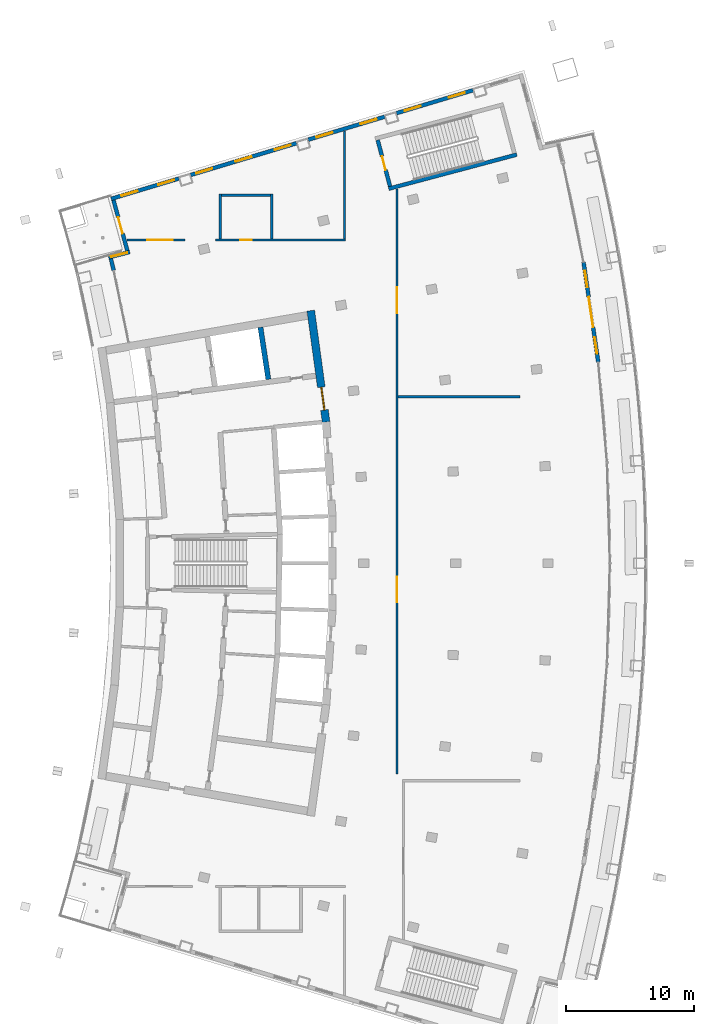
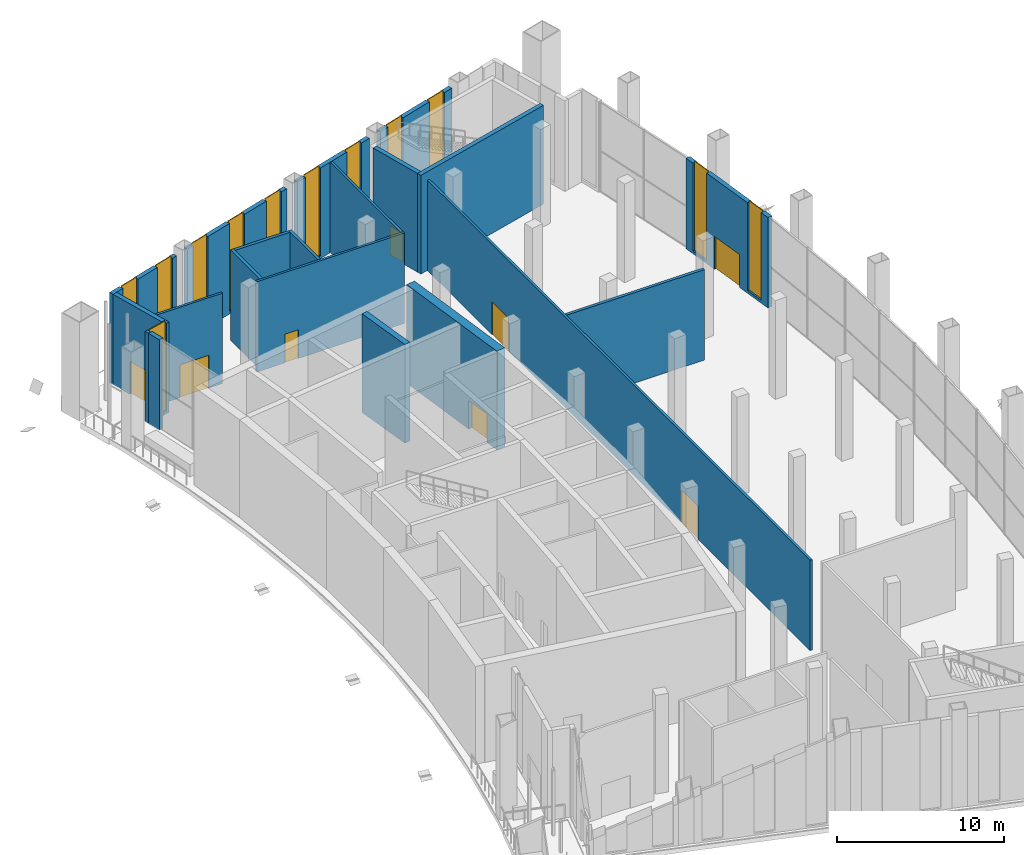
# One storey, part 16 of 24: 20 walls, 12 windows, 8 doors, 20 openings.
"""IFC4 building model written with IfcOpenShell, lengths in metres."""

from ifc_helpers import new_model, si_unit, direction, frame, frame_2d, origin, place, context, subcontext, project, spatial, rectangle, extrude, material, layer, layer_set, type_object, element, fill, save


model = new_model("IFC4")

# Units and contexts
model_context = context("Model", 3, precision=1e-05, world=origin(), true_north=direction((0.0, 1.0)))
body_context = subcontext(model_context, "Body", "Model", "MODEL_VIEW")
ifc_project = project(units=[si_unit("LENGTHUNIT", "METRE"), si_unit("AREAUNIT", "SQUARE_METRE"), si_unit("VOLUMEUNIT", "CUBIC_METRE"), si_unit("PLANEANGLEUNIT", "RADIAN"), si_unit("MASSUNIT", "GRAM", prefix="KILO")], contexts=[model_context])

# Site, building, storey
site_placement = place(None, origin())
site = spatial("IfcSite", under=ifc_project, at=site_placement, CompositionType="ELEMENT")
building_placement = place(site_placement, origin())
building = spatial("IfcBuilding", under=site, at=building_placement, Name="Alderwake Tower", CompositionType="ELEMENT")
storey_placement = place(building_placement, frame((0.0, 0.0, 232.39990234375)))
storey = spatial("IfcBuildingStorey", under=building, at=storey_placement, Name="L58", CompositionType="ELEMENT", Elevation=232.39990234375)

# Wall, opening, door
ifc_material_1 = material(Name="Concrete C70/85", Category="concrete")
ifc_layer_1 = layer(ifc_material_1, 0.60009765625)
ifc_layer_set_1 = layer_set([ifc_layer_1], Name="Core wall outer 600 C70-85")
wall_type_1 = type_object("IfcWallType", Name="Core wall outer 600 C70-85", PredefinedType="SHEAR", material=ifc_layer_set_1)
wall_1_placement = place(storey_placement, frame((31.66796875, 80.743896484375, 0.0), z_axis=(0.0, 0.0, 1.0), x_axis=(0.135856583698, -0.990728514108, 0.0)))
wall_1 = element("IfcWall", 1, at=wall_1_placement, inside=storey, type_object=wall_type_1, Name="Core wall CW.014", PredefinedType="SHEAR", context=body_context, shape_type="SweptSolid", body=[
    extrude(rectangle(XDim=8.79296875, YDim=0.60009765625, at=frame_2d((4.396484375, 0.0))), origin(), (0.0, 0.0, 1.0), 7.2001953125),
])
opening_1_placement = place(wall_1_placement, frame((6.038818359375, 0.0, 0.0)))
opening_1 = element("IfcOpeningElement", 2, at=opening_1_placement, cuts=wall_1, Name="Opening C001", PredefinedType="OPENING", context=body_context, shape_type="SweptSolid", body=[
    extrude(rectangle(XDim=1.800048828125, YDim=2.10009765625, at=frame_2d((0.89990234375, 1.050048828125))), frame((0.0, 0.31005859375, 0.0), z_axis=(0.0, -1.0, 0.0), x_axis=(1.0, 0.0, 0.0)), (0.0, 0.0, 1.0), 0.6201171875),
])
ifc_material_2 = material(Name="Steel-framed fire door leaves", Category="steel")
door_type_1 = type_object("IfcDoorType", Name="Core double door 1800 fire-rated", OperationType="DOUBLE_DOOR_SINGLE_SWING", PredefinedType="DOOR", material=ifc_material_2)
door_1_placement = place(opening_1_placement, origin())
door_1 = element("IfcDoor", 3, at=door_1_placement, inside=storey, type_object=door_type_1, Name="Lobby double door", OperationType="DOUBLE_DOOR_SINGLE_SWING", OverallHeight=2.10009765625, OverallWidth=1.800048828125, PredefinedType="DOOR", context=body_context, shape_type="SweptSolid", body=[
    extrude(rectangle(XDim=1.800048828125, YDim=2.10009765625, at=frame_2d((0.89990234375, 1.050048828125))), frame((0.0, 0.050048828125, 0.0), z_axis=(0.0, -1.0, 0.0), x_axis=(1.0, 0.0, 0.0)), (0.0, 0.0, 1.0), 0.10009765625),
])
fill(opening_1, door_1)

# Walls
ifc_material_3 = material(Name="Concrete C70/85", Category="concrete")
ifc_layer_2 = layer(ifc_material_3, 0.39990234375)
ifc_layer_set_2 = layer_set([ifc_layer_2], Name="Core wall spine 400 C70-85")
wall_type_2 = type_object("IfcWallType", Name="Core wall spine 400 C70-85", PredefinedType="SHEAR", material=ifc_layer_set_2)
wall_2_placement = place(storey_placement, frame((28.350830078125, 75.373291015625, 0.0), z_axis=(0.0, 0.0, 1.0), x_axis=(-0.150143035921, 0.988664285167, 0.0)))
element("IfcWall", 4, at=wall_2_placement, inside=storey, type_object=wall_type_2, Name="Core wall CW.001", PredefinedType="SHEAR", context=body_context, shape_type="SweptSolid", body=[
    extrude(rectangle(XDim=4.1123046875, YDim=0.39990234375, at=frame_2d((2.05615234375, 0.0))), origin(), (0.0, 0.0, 1.0), 7.2001953125),
])
ifc_material_4 = material(Name="Concrete C70/85", Category="concrete")
ifc_layer_3 = layer(ifc_material_4, 0.300048828125)
ifc_layer_set_3 = layer_set([ifc_layer_3], Name="Core wall stair enclosure 300 C70-85")
wall_type_3 = type_object("IfcWallType", Name="Core wall stair enclosure 300 C70-85", PredefinedType="SHEAR", material=ifc_layer_set_3)
wall_3_placement = place(storey_placement, frame((37.75390625, 90.268798828125, 0.0), z_axis=(0.0, 0.0, 1.0), x_axis=(0.966309214305, 0.257383958996, 0.0)))
element("IfcWall", 5, at=wall_3_placement, inside=storey, type_object=wall_type_3, Name="Core wall CW.084", PredefinedType="SHEAR", context=body_context, shape_type="SweptSolid", body=[
    extrude(rectangle(XDim=10.360107421875, YDim=0.300048828125, at=frame_2d((5.18017578125, 0.0))), origin(), (0.0, 0.0, 1.0), 7.2001953125),
])

# Wall, opening, door
wall_4_placement = place(storey_placement, frame((37.8603515625, 90.452392578125, 0.0), z_axis=(0.0, 0.0, 1.0), x_axis=(-0.257411420208, 0.966301899381, 0.0)))
wall_4 = element("IfcWall", 6, at=wall_4_placement, inside=storey, type_object=wall_type_3, Name="Core wall CW.083", PredefinedType="SHEAR", context=body_context, shape_type="SweptSolid", body=[
    extrude(rectangle(XDim=3.750244140625, YDim=0.300048828125, at=frame_2d((1.875, 0.0))), origin(), (0.0, 0.0, 1.0), 7.2001953125),
])
opening_2_placement = place(wall_4_placement, frame((1.324951171875, 0.0, 0.0)))
opening_2 = element("IfcOpeningElement", 7, at=opening_2_placement, cuts=wall_4, Name="Opening C062", PredefinedType="OPENING", context=body_context, shape_type="SweptSolid", body=[
    extrude(rectangle(XDim=1.10009765625, YDim=2.10009765625, at=frame_2d((0.550048828125, 1.050048828125))), frame((0.0, 0.159912109375, 0.0), z_axis=(0.0, -1.0, 0.0), x_axis=(1.0, 0.0, 0.0)), (0.0, 0.0, 1.0), 0.320068359375),
])
ifc_material_5 = material(Name="Steel-framed fire door leaf", Category="steel")
door_type_2 = type_object("IfcDoorType", Name="Core stair door 1100 fire-rated", OperationType="SINGLE_SWING_LEFT", PredefinedType="DOOR", material=ifc_material_5)
door_2_placement = place(opening_2_placement, origin())
door_2 = element("IfcDoor", 8, at=door_2_placement, inside=storey, type_object=door_type_2, Name="Stair door", OperationType="SINGLE_SWING_RIGHT", OverallHeight=2.10009765625, OverallWidth=1.10009765625, PredefinedType="DOOR", context=body_context, shape_type="SweptSolid", body=[
    extrude(rectangle(XDim=1.10009765625, YDim=2.10009765625, at=frame_2d((0.550048828125, 1.050048828125))), frame((0.0, 0.02490234375, 0.0), z_axis=(0.0, -1.0, 0.0), x_axis=(1.0, 0.0, 0.0)), (0.0, 0.0, 1.0), 0.050048828125),
])
fill(opening_2, door_2)

ifc_material_6 = material(Name="Gypsum board on metal studs, rated")
ifc_layer_4 = layer(ifc_material_6, 0.159912109375)
ifc_layer_set_4 = layer_set([ifc_layer_4], Name="Corridor wall 160")
wall_type_4 = type_object("IfcWallType", Name="Corridor wall 160", PredefinedType="PARTITIONING", material=ifc_layer_set_4)
wall_5_placement = place(storey_placement, frame((21.8369140625, 86.25, 0.0), z_axis=(0.0, 0.0, 1.0), x_axis=(-1.0, 0.0, 0.0)))
wall_5 = element("IfcWall", 9, at=wall_5_placement, inside=storey, type_object=wall_type_4, Name="WL/L58/W10", PredefinedType="PARTITIONING", context=body_context, shape_type="SweptSolid", body=[
    extrude(rectangle(XDim=4.54296875, YDim=0.159912109375, at=frame_2d((2.271484375, 0.0))), origin(), (0.0, 0.0, 1.0), 6.60009765625),
])
opening_3_placement = place(wall_5_placement, frame((0.94873046875, 0.0, 0.0)))
opening_3 = element("IfcOpeningElement", 10, at=opening_3_placement, cuts=wall_5, Name="Opening L58-04", PredefinedType="OPENING", context=body_context, shape_type="SweptSolid", body=[
    extrude(rectangle(XDim=2.0, YDim=2.39990234375, at=frame_2d((1.0, 1.199951171875))), frame((0.0, 0.08984375, 0.0), z_axis=(0.0, -1.0, 0.0), x_axis=(1.0, 0.0, 0.0)), (0.0, 0.0, 1.0), 0.179931640625),
])
ifc_material_7 = material(Name="Timber leaves with glazed panels", Category="wood")
door_type_3 = type_object("IfcDoorType", Name="Hall double door 2000", OperationType="DOUBLE_DOOR_SINGLE_SWING", PredefinedType="DOOR", material=ifc_material_7)
door_3_placement = place(opening_3_placement, origin())
door_3 = element("IfcDoor", 11, at=door_3_placement, inside=storey, type_object=door_type_3, Name="DR/L58/04", OperationType="DOUBLE_DOOR_SINGLE_SWING", OverallHeight=2.39990234375, OverallWidth=2.0, PredefinedType="DOOR", context=body_context, shape_type="SweptSolid", body=[
    extrude(rectangle(XDim=2.0, YDim=2.39990234375, at=frame_2d((1.0, 1.199951171875))), frame((0.0, 0.02490234375, 0.0), z_axis=(0.0, -1.0, 0.0), x_axis=(1.0, 0.0, 0.0)), (0.0, 0.0, 1.0), 0.050048828125),
])
fill(opening_3, door_3)

wall_6_placement = place(storey_placement, frame((34.37890625, 86.25, 0.0), z_axis=(0.0, 0.0, 1.0), x_axis=(-1.0, 0.0, 0.0)))
wall_6 = element("IfcWall", 12, at=wall_6_placement, inside=storey, type_object=wall_type_4, Name="WL/L58/W13", PredefinedType="PARTITIONING", context=body_context, shape_type="SweptSolid", body=[
    extrude(rectangle(XDim=10.171875, YDim=0.159912109375, at=frame_2d((5.0859375, 0.0))), origin(), (0.0, 0.0, 1.0), 6.60009765625),
])
opening_4_placement = place(wall_6_placement, frame((7.3291015625, 0.0, 0.0)))
opening_4 = element("IfcOpeningElement", 13, at=opening_4_placement, cuts=wall_6, Name="Opening L58-09", PredefinedType="OPENING", context=body_context, shape_type="SweptSolid", body=[
    extrude(rectangle(XDim=0.89990234375, YDim=2.10009765625, at=frame_2d((0.449951171875, 1.050048828125))), frame((0.0, 0.08984375, 0.0), z_axis=(0.0, -1.0, 0.0), x_axis=(1.0, 0.0, 0.0)), (0.0, 0.0, 1.0), 0.179931640625),
])
ifc_material_8 = material(Name="Painted timber leaf", Category="wood")
door_type_4 = type_object("IfcDoorType", Name="Room door 900", OperationType="SINGLE_SWING_LEFT", PredefinedType="DOOR", material=ifc_material_8)
door_4_placement = place(opening_4_placement, origin())
door_4 = element("IfcDoor", 14, at=door_4_placement, inside=storey, type_object=door_type_4, Name="DR/L58/09", OperationType="SINGLE_SWING_LEFT", OverallHeight=2.10009765625, OverallWidth=0.89990234375, PredefinedType="DOOR", context=body_context, shape_type="SweptSolid", body=[
    extrude(rectangle(XDim=0.89990234375, YDim=2.10009765625, at=frame_2d((0.449951171875, 1.050048828125))), frame((0.0, 0.02490234375, 0.0), z_axis=(0.0, -1.0, 0.0), x_axis=(1.0, 0.0, 0.0)), (0.0, 0.0, 1.0), 0.050048828125),
])
fill(opening_4, door_4)

# Wall
wall_7_placement = place(storey_placement, frame((34.299072265625, 94.77392578125, 0.0), z_axis=(0.0, 0.0, 1.0), x_axis=(0.0, -1.0, 0.0)))
element("IfcWall", 15, at=wall_7_placement, inside=storey, type_object=wall_type_4, Name="WL/L58/W14", PredefinedType="PARTITIONING", context=body_context, shape_type="SweptSolid", body=[
    extrude(rectangle(XDim=8.44384765625, YDim=0.159912109375, at=frame_2d((4.221923828125, 0.0))), origin(), (0.0, 0.0, 1.0), 6.60009765625),
])

# Wall, openings, doors
wall_8_placement = place(storey_placement, frame((38.39990234375, 44.52099609375, 0.0), z_axis=(0.0, 0.0, 1.0), x_axis=(0.0, 1.0, 0.0)))
wall_8 = element("IfcWall", 16, at=wall_8_placement, inside=storey, type_object=wall_type_4, Name="WL/L58/W15", PredefinedType="PARTITIONING", context=body_context, shape_type="SweptSolid", body=[
    extrude(rectangle(XDim=45.743896484375, YDim=0.159912109375, at=frame_2d((22.8720703125, 0.0))), origin(), (0.0, 0.0, 1.0), 6.60009765625),
])
opening_5_placement = place(wall_8_placement, frame((13.428955078125, 0.0, 0.0)))
opening_5 = element("IfcOpeningElement", 17, at=opening_5_placement, cuts=wall_8, Name="Opening L58-02", PredefinedType="OPENING", context=body_context, shape_type="SweptSolid", body=[
    extrude(rectangle(XDim=2.0, YDim=2.39990234375, at=frame_2d((1.0, 1.199951171875))), frame((0.0, 0.08984375, 0.0), z_axis=(0.0, -1.0, 0.0), x_axis=(1.0, 0.0, 0.0)), (0.0, 0.0, 1.0), 0.179931640625),
])
opening_6_placement = place(wall_8_placement, frame((36.029052734375, 0.0, 0.0)))
opening_6 = element("IfcOpeningElement", 18, at=opening_6_placement, cuts=wall_8, Name="Opening L58-03", PredefinedType="OPENING", context=body_context, shape_type="SweptSolid", body=[
    extrude(rectangle(XDim=2.0, YDim=2.39990234375, at=frame_2d((1.0, 1.199951171875))), frame((0.0, 0.08984375, 0.0), z_axis=(0.0, -1.0, 0.0), x_axis=(1.0, 0.0, 0.0)), (0.0, 0.0, 1.0), 0.179931640625),
])
door_5_placement = place(opening_5_placement, origin())
door_5 = element("IfcDoor", 19, at=door_5_placement, inside=storey, type_object=door_type_3, Name="DR/L58/02", OperationType="DOUBLE_DOOR_SINGLE_SWING", OverallHeight=2.39990234375, OverallWidth=2.0, PredefinedType="DOOR", context=body_context, shape_type="SweptSolid", body=[
    extrude(rectangle(XDim=2.0, YDim=2.39990234375, at=frame_2d((1.0, 1.199951171875))), frame((0.0, 0.02490234375, 0.0), z_axis=(0.0, -1.0, 0.0), x_axis=(1.0, 0.0, 0.0)), (0.0, 0.0, 1.0), 0.050048828125),
])
fill(opening_5, door_5)
door_6_placement = place(opening_6_placement, origin())
door_6 = element("IfcDoor", 20, at=door_6_placement, inside=storey, type_object=door_type_3, Name="DR/L58/03", OperationType="DOUBLE_DOOR_SINGLE_SWING", OverallHeight=2.39990234375, OverallWidth=2.0, PredefinedType="DOOR", context=body_context, shape_type="SweptSolid", body=[
    extrude(rectangle(XDim=2.0, YDim=2.39990234375, at=frame_2d((1.0, 1.199951171875))), frame((0.0, 0.02490234375, 0.0), z_axis=(0.0, -1.0, 0.0), x_axis=(1.0, 0.0, 0.0)), (0.0, 0.0, 1.0), 0.050048828125),
])
fill(opening_6, door_6)

# Wall
ifc_material_9 = material(Name="Precast concrete C50/60 spandrel panel", Category="concrete")
ifc_layer_5 = layer(ifc_material_9, 0.300048828125)
ifc_layer_set_5 = layer_set([ifc_layer_5], Name="External wall EW1 Precast concrete C50/60 spandrel")
wall_type_5 = type_object("IfcWallType", Name="External wall EW1 Precast concrete C50/60 spandrel", PredefinedType="SOLIDWALL", material=ifc_layer_set_5)
wall_9_placement = place(storey_placement, frame((16.043701171875, 84.795166015625, 0.0), z_axis=(0.0, 0.0, 1.0), x_axis=(0.238511880711, -0.971139579442, 0.0)))
element("IfcWall", 21, at=wall_9_placement, inside=storey, type_object=wall_type_5, Name="External wall 2", PredefinedType="SOLIDWALL", context=body_context, shape_type="SweptSolid", body=[
    extrude(rectangle(XDim=0.942626953125, YDim=0.300048828125, at=frame_2d((0.47119140625, 0.0))), origin(), (0.0, 0.0, 1.0), 6.60009765625),
])

# Wall, openings, door, windows
wall_10_placement = place(storey_placement, frame((54.132080078125, 76.718505859375, 0.0), z_axis=(0.0, 0.0, 1.0), x_axis=(-0.145311132132, 0.989386009037, 0.0)))
wall_10 = element("IfcWall", 22, at=wall_10_placement, inside=storey, type_object=wall_type_5, Name="External wall 16", PredefinedType="SOLIDWALL", context=body_context, shape_type="SweptSolid", body=[
    extrude(rectangle(XDim=7.8798828125, YDim=0.300048828125, at=frame_2d((3.93994140625, 0.0))), origin(), (0.0, 0.0, 1.0), 6.60009765625),
])
opening_7_placement = place(wall_10_placement, frame((0.663330078125, 0.0, 0.199951171875)))
opening_7 = element("IfcOpeningElement", 23, at=opening_7_placement, cuts=wall_10, Name="Opening W5", PredefinedType="OPENING", context=body_context, shape_type="SweptSolid", body=[
    extrude(rectangle(XDim=1.300048828125, YDim=6.5, at=frame_2d((0.64990234375, 3.25))), frame((0.0, 0.159912109375, 0.0), z_axis=(0.0, -1.0, 0.0), x_axis=(1.0, 0.0, 0.0)), (0.0, 0.0, 1.0), 0.320068359375),
])
opening_8_placement = place(wall_10_placement, frame((2.739990234375, 0.0, 0.0)))
opening_8 = element("IfcOpeningElement", 24, at=opening_8_placement, cuts=wall_10, Name="Opening D05", PredefinedType="OPENING", context=body_context, shape_type="SweptSolid", body=[
    extrude(rectangle(XDim=2.39990234375, YDim=2.39990234375, at=frame_2d((1.199951171875, 1.199951171875))), frame((0.0, 0.159912109375, 0.0), z_axis=(0.0, -1.0, 0.0), x_axis=(1.0, 0.0, 0.0)), (0.0, 0.0, 1.0), 0.320068359375),
])
opening_9_placement = place(wall_10_placement, frame((5.91650390625, 0.0, 0.199951171875)))
opening_9 = element("IfcOpeningElement", 25, at=opening_9_placement, cuts=wall_10, Name="Opening W5", PredefinedType="OPENING", context=body_context, shape_type="SweptSolid", body=[
    extrude(rectangle(XDim=1.300048828125, YDim=6.5, at=frame_2d((0.64990234375, 3.25))), frame((0.0, 0.159912109375, 0.0), z_axis=(0.0, -1.0, 0.0), x_axis=(1.0, 0.0, 0.0)), (0.0, 0.0, 1.0), 0.320068359375),
])
ifc_material_10 = material(Name="Bronze tinted glass in aluminium frame", Category="aluminium")
door_type_5 = type_object("IfcDoorType", Name="Garden door GD sliding", OperationType="DOUBLE_DOOR_SINGLE_SWING", PredefinedType="DOOR", material=ifc_material_10)
door_7_placement = place(opening_8_placement, origin())
door_7 = element("IfcDoor", 26, at=door_7_placement, inside=storey, type_object=door_type_5, Name="Door D05", OperationType="DOUBLE_DOOR_SINGLE_SWING", OverallHeight=2.39990234375, OverallWidth=2.39990234375, PredefinedType="DOOR", context=body_context, shape_type="SweptSolid", body=[
    extrude(rectangle(XDim=2.39990234375, YDim=2.39990234375, at=frame_2d((1.199951171875, 1.199951171875))), frame((0.0, 0.02490234375, 0.0), z_axis=(0.0, -1.0, 0.0), x_axis=(1.0, 0.0, 0.0)), (0.0, 0.0, 1.0), 0.050048828125),
])
fill(opening_8, door_7)
ifc_material_11 = material(Name="Bronze tinted glass in aluminium frame", Category="aluminium")
window_type = type_object("IfcWindowType", Name="Window W5 garden floor tall", PartitioningType="SINGLE_PANEL", PredefinedType="WINDOW", material=ifc_material_11)
window_1_placement = place(opening_7_placement, origin())
window_1 = element("IfcWindow", 27, at=window_1_placement, inside=storey, type_object=window_type, Name="Window W5 garden floor tall", OverallHeight=6.5, OverallWidth=1.300048828125, PartitioningType="SINGLE_PANEL", PredefinedType="WINDOW", context=body_context, shape_type="SweptSolid", body=[
    extrude(rectangle(XDim=1.300048828125, YDim=6.5, at=frame_2d((0.64990234375, 3.25))), frame((0.0, 0.030029296875, 0.0), z_axis=(0.0, -1.0, 0.0), x_axis=(1.0, 0.0, 0.0)), (0.0, 0.0, 1.0), 0.06005859375),
])
fill(opening_7, window_1)
window_2_placement = place(opening_9_placement, origin())
window_2 = element("IfcWindow", 28, at=window_2_placement, inside=storey, type_object=window_type, Name="Window W5 garden floor tall", OverallHeight=6.5, OverallWidth=1.300048828125, PartitioningType="SINGLE_PANEL", PredefinedType="WINDOW", context=body_context, shape_type="SweptSolid", body=[
    extrude(rectangle(XDim=1.300048828125, YDim=6.5, at=frame_2d((0.64990234375, 3.25))), frame((0.0, 0.030029296875, 0.0), z_axis=(0.0, -1.0, 0.0), x_axis=(1.0, 0.0, 0.0)), (0.0, 0.0, 1.0), 0.06005859375),
])
fill(opening_9, window_2)

# Wall, opening, window
ifc_material_12 = material(Name="Bronze metal cladding on lightweight framing")
ifc_layer_6 = layer(ifc_material_12, 0.300048828125)
ifc_layer_set_6 = layer_set([ifc_layer_6], Name="External wall EW2 bronze metal cladding")
wall_type_6 = type_object("IfcWallType", Name="External wall EW2 bronze metal cladding", PredefinedType="SOLIDWALL", material=ifc_layer_set_6)
wall_11_placement = place(storey_placement, frame((17.51611328125, 85.32275390625, 0.0), z_axis=(0.0, 0.0, 1.0), x_axis=(-0.969396971861, -0.245498494794, 0.0)))
wall_11 = element("IfcWall", 29, at=wall_11_placement, inside=storey, type_object=wall_type_6, Name="External wall 1", PredefinedType="SOLIDWALL", context=body_context, shape_type="SweptSolid", body=[
    extrude(rectangle(XDim=1.70556640625, YDim=0.300048828125, at=frame_2d((0.852783203125, 0.0))), origin(), (0.0, 0.0, 1.0), 6.60009765625),
])
opening_10_placement = place(wall_11_placement, frame((0.202880859375, 0.0, 0.199951171875)))
opening_10 = element("IfcOpeningElement", 30, at=opening_10_placement, cuts=wall_11, Name="Opening W5", PredefinedType="OPENING", context=body_context, shape_type="SweptSolid", body=[
    extrude(rectangle(XDim=1.300048828125, YDim=6.5, at=frame_2d((0.64990234375, 3.25))), frame((0.0, 0.159912109375, 0.0), z_axis=(0.0, -1.0, 0.0), x_axis=(1.0, 0.0, 0.0)), (0.0, 0.0, 1.0), 0.320068359375),
])
window_3_placement = place(opening_10_placement, origin())
window_3 = element("IfcWindow", 31, at=window_3_placement, inside=storey, type_object=window_type, Name="Window W5 garden floor tall", OverallHeight=6.5, OverallWidth=1.300048828125, PartitioningType="SINGLE_PANEL", PredefinedType="WINDOW", context=body_context, shape_type="SweptSolid", body=[
    extrude(rectangle(XDim=1.300048828125, YDim=6.5, at=frame_2d((0.64990234375, 3.25))), frame((0.0, 0.030029296875, 0.0), z_axis=(0.0, -1.0, 0.0), x_axis=(1.0, 0.0, 0.0)), (0.0, 0.0, 1.0), 0.06005859375),
])
fill(opening_10, window_3)

# Wall, openings, windows
wall_12_placement = place(storey_placement, frame((44.34375, 97.966064453125, 0.0), z_axis=(0.0, 0.0, 1.0), x_axis=(-0.95776710022, -0.287545095136, 0.0)))
wall_12 = element("IfcWall", 32, at=wall_12_placement, inside=storey, type_object=wall_type_6, Name="External wall 21", PredefinedType="SOLIDWALL", context=body_context, shape_type="SweptSolid", body=[
    extrude(rectangle(XDim=6.24658203125, YDim=0.300048828125, at=frame_2d((3.123291015625, 0.0))), origin(), (0.0, 0.0, 1.0), 6.60009765625),
])
opening_11_placement = place(wall_12_placement, frame((0.67333984375, 0.0, 0.199951171875)))
opening_11 = element("IfcOpeningElement", 33, at=opening_11_placement, cuts=wall_12, Name="Opening W5", PredefinedType="OPENING", context=body_context, shape_type="SweptSolid", body=[
    extrude(rectangle(XDim=1.300048828125, YDim=6.5, at=frame_2d((0.64990234375, 3.25))), frame((0.0, 0.159912109375, 0.0), z_axis=(0.0, -1.0, 0.0), x_axis=(1.0, 0.0, 0.0)), (0.0, 0.0, 1.0), 0.320068359375),
])
opening_12_placement = place(wall_12_placement, frame((4.273193359375, 0.0, 0.199951171875)))
opening_12 = element("IfcOpeningElement", 34, at=opening_12_placement, cuts=wall_12, Name="Opening W5", PredefinedType="OPENING", context=body_context, shape_type="SweptSolid", body=[
    extrude(rectangle(XDim=1.300048828125, YDim=6.5, at=frame_2d((0.64990234375, 3.25))), frame((0.0, 0.159912109375, 0.0), z_axis=(0.0, -1.0, 0.0), x_axis=(1.0, 0.0, 0.0)), (0.0, 0.0, 1.0), 0.320068359375),
])
window_4_placement = place(opening_11_placement, origin())
window_4 = element("IfcWindow", 35, at=window_4_placement, inside=storey, type_object=window_type, Name="Window W5 garden floor tall", OverallHeight=6.5, OverallWidth=1.300048828125, PartitioningType="SINGLE_PANEL", PredefinedType="WINDOW", context=body_context, shape_type="SweptSolid", body=[
    extrude(rectangle(XDim=1.300048828125, YDim=6.5, at=frame_2d((0.64990234375, 3.25))), frame((0.0, 0.030029296875, 0.0), z_axis=(0.0, -1.0, 0.0), x_axis=(1.0, 0.0, 0.0)), (0.0, 0.0, 1.0), 0.06005859375),
])
fill(opening_11, window_4)
window_5_placement = place(opening_12_placement, origin())
window_5 = element("IfcWindow", 36, at=window_5_placement, inside=storey, type_object=window_type, Name="Window W5 garden floor tall", OverallHeight=6.5, OverallWidth=1.300048828125, PartitioningType="SINGLE_PANEL", PredefinedType="WINDOW", context=body_context, shape_type="SweptSolid", body=[
    extrude(rectangle(XDim=1.300048828125, YDim=6.5, at=frame_2d((0.64990234375, 3.25))), frame((0.0, 0.030029296875, 0.0), z_axis=(0.0, -1.0, 0.0), x_axis=(1.0, 0.0, 0.0)), (0.0, 0.0, 1.0), 0.06005859375),
])
fill(opening_12, window_5)

wall_13_placement = place(storey_placement, frame((37.44775390625, 95.895751953125, 0.0), z_axis=(0.0, 0.0, 1.0), x_axis=(-0.95776710022, -0.287545095136, 0.0)))
wall_13 = element("IfcWall", 37, at=wall_13_placement, inside=storey, type_object=wall_type_6, Name="External wall 22", PredefinedType="SOLIDWALL", context=body_context, shape_type="SweptSolid", body=[
    extrude(rectangle(XDim=6.24658203125, YDim=0.300048828125, at=frame_2d((3.123291015625, 0.0))), origin(), (0.0, 0.0, 1.0), 6.60009765625),
])
opening_13_placement = place(wall_13_placement, frame((0.673095703125, 0.0, 0.199951171875)))
opening_13 = element("IfcOpeningElement", 38, at=opening_13_placement, cuts=wall_13, Name="Opening W5", PredefinedType="OPENING", context=body_context, shape_type="SweptSolid", body=[
    extrude(rectangle(XDim=1.300048828125, YDim=6.5, at=frame_2d((0.64990234375, 3.25))), frame((0.0, 0.159912109375, 0.0), z_axis=(0.0, -1.0, 0.0), x_axis=(1.0, 0.0, 0.0)), (0.0, 0.0, 1.0), 0.320068359375),
])
opening_14_placement = place(wall_13_placement, frame((4.273193359375, 0.0, 0.199951171875)))
opening_14 = element("IfcOpeningElement", 39, at=opening_14_placement, cuts=wall_13, Name="Opening W5", PredefinedType="OPENING", context=body_context, shape_type="SweptSolid", body=[
    extrude(rectangle(XDim=1.300048828125, YDim=6.5, at=frame_2d((0.64990234375, 3.25))), frame((0.0, 0.159912109375, 0.0), z_axis=(0.0, -1.0, 0.0), x_axis=(1.0, 0.0, 0.0)), (0.0, 0.0, 1.0), 0.320068359375),
])
window_6_placement = place(opening_13_placement, origin())
window_6 = element("IfcWindow", 40, at=window_6_placement, inside=storey, type_object=window_type, Name="Window W5 garden floor tall", OverallHeight=6.5, OverallWidth=1.300048828125, PartitioningType="SINGLE_PANEL", PredefinedType="WINDOW", context=body_context, shape_type="SweptSolid", body=[
    extrude(rectangle(XDim=1.300048828125, YDim=6.5, at=frame_2d((0.64990234375, 3.25))), frame((0.0, 0.030029296875, 0.0), z_axis=(0.0, -1.0, 0.0), x_axis=(1.0, 0.0, 0.0)), (0.0, 0.0, 1.0), 0.06005859375),
])
fill(opening_13, window_6)
window_7_placement = place(opening_14_placement, origin())
window_7 = element("IfcWindow", 41, at=window_7_placement, inside=storey, type_object=window_type, Name="Window W5 garden floor tall", OverallHeight=6.5, OverallWidth=1.300048828125, PartitioningType="SINGLE_PANEL", PredefinedType="WINDOW", context=body_context, shape_type="SweptSolid", body=[
    extrude(rectangle(XDim=1.300048828125, YDim=6.5, at=frame_2d((0.64990234375, 3.25))), frame((0.0, 0.030029296875, 0.0), z_axis=(0.0, -1.0, 0.0), x_axis=(1.0, 0.0, 0.0)), (0.0, 0.0, 1.0), 0.06005859375),
])
fill(opening_14, window_7)

wall_14_placement = place(storey_placement, frame((30.551513671875, 93.8251953125, 0.0), z_axis=(0.0, 0.0, 1.0), x_axis=(-0.957767198916, -0.287544766394, 0.0)))
wall_14 = element("IfcWall", 42, at=wall_14_placement, inside=storey, type_object=wall_type_6, Name="External wall 23", PredefinedType="SOLIDWALL", context=body_context, shape_type="SweptSolid", body=[
    extrude(rectangle(XDim=8.64599609375, YDim=0.300048828125, at=frame_2d((4.322998046875, 0.0))), origin(), (0.0, 0.0, 1.0), 6.60009765625),
])
opening_15_placement = place(wall_14_placement, frame((0.47314453125, 0.0, 0.199951171875)))
opening_15 = element("IfcOpeningElement", 43, at=opening_15_placement, cuts=wall_14, Name="Opening W5", PredefinedType="OPENING", context=body_context, shape_type="SweptSolid", body=[
    extrude(rectangle(XDim=1.300048828125, YDim=6.5, at=frame_2d((0.64990234375, 3.25))), frame((0.0, 0.159912109375, 0.0), z_axis=(0.0, -1.0, 0.0), x_axis=(1.0, 0.0, 0.0)), (0.0, 0.0, 1.0), 0.320068359375),
])
opening_16_placement = place(wall_14_placement, frame((3.673095703125, 0.0, 0.199951171875)))
opening_16 = element("IfcOpeningElement", 44, at=opening_16_placement, cuts=wall_14, Name="Opening W5", PredefinedType="OPENING", context=body_context, shape_type="SweptSolid", body=[
    extrude(rectangle(XDim=1.300048828125, YDim=6.5, at=frame_2d((0.64990234375, 3.25))), frame((0.0, 0.159912109375, 0.0), z_axis=(0.0, -1.0, 0.0), x_axis=(1.0, 0.0, 0.0)), (0.0, 0.0, 1.0), 0.320068359375),
])
opening_17_placement = place(wall_14_placement, frame((6.873291015625, 0.0, 0.199951171875)))
opening_17 = element("IfcOpeningElement", 45, at=opening_17_placement, cuts=wall_14, Name="Opening W5", PredefinedType="OPENING", context=body_context, shape_type="SweptSolid", body=[
    extrude(rectangle(XDim=1.300048828125, YDim=6.5, at=frame_2d((0.64990234375, 3.25))), frame((0.0, 0.159912109375, 0.0), z_axis=(0.0, -1.0, 0.0), x_axis=(1.0, 0.0, 0.0)), (0.0, 0.0, 1.0), 0.320068359375),
])
window_8_placement = place(opening_15_placement, origin())
window_8 = element("IfcWindow", 46, at=window_8_placement, inside=storey, type_object=window_type, Name="Window W5 garden floor tall", OverallHeight=6.5, OverallWidth=1.300048828125, PartitioningType="SINGLE_PANEL", PredefinedType="WINDOW", context=body_context, shape_type="SweptSolid", body=[
    extrude(rectangle(XDim=1.300048828125, YDim=6.5, at=frame_2d((0.64990234375, 3.25))), frame((0.0, 0.030029296875, 0.0), z_axis=(0.0, -1.0, 0.0), x_axis=(1.0, 0.0, 0.0)), (0.0, 0.0, 1.0), 0.06005859375),
])
fill(opening_15, window_8)
window_9_placement = place(opening_16_placement, origin())
window_9 = element("IfcWindow", 47, at=window_9_placement, inside=storey, type_object=window_type, Name="Window W5 garden floor tall", OverallHeight=6.5, OverallWidth=1.300048828125, PartitioningType="SINGLE_PANEL", PredefinedType="WINDOW", context=body_context, shape_type="SweptSolid", body=[
    extrude(rectangle(XDim=1.300048828125, YDim=6.5, at=frame_2d((0.64990234375, 3.25))), frame((0.0, 0.030029296875, 0.0), z_axis=(0.0, -1.0, 0.0), x_axis=(1.0, 0.0, 0.0)), (0.0, 0.0, 1.0), 0.06005859375),
])
fill(opening_16, window_9)
window_10_placement = place(opening_17_placement, origin())
window_10 = element("IfcWindow", 48, at=window_10_placement, inside=storey, type_object=window_type, Name="Window W5 garden floor tall", OverallHeight=6.5, OverallWidth=1.300048828125, PartitioningType="SINGLE_PANEL", PredefinedType="WINDOW", context=body_context, shape_type="SweptSolid", body=[
    extrude(rectangle(XDim=1.300048828125, YDim=6.5, at=frame_2d((0.64990234375, 3.25))), frame((0.0, 0.030029296875, 0.0), z_axis=(0.0, -1.0, 0.0), x_axis=(1.0, 0.0, 0.0)), (0.0, 0.0, 1.0), 0.06005859375),
])
fill(opening_17, window_10)

wall_15_placement = place(storey_placement, frame((21.356689453125, 91.064697265625, 0.0), z_axis=(0.0, 0.0, 1.0), x_axis=(-0.957772749247, -0.287526278451, 0.0)))
wall_15 = element("IfcWall", 49, at=wall_15_placement, inside=storey, type_object=wall_type_6, Name="External wall 24", PredefinedType="SOLIDWALL", context=body_context, shape_type="SweptSolid", body=[
    extrude(rectangle(XDim=5.524169921875, YDim=0.300048828125, at=frame_2d((2.76220703125, 0.0))), origin(), (0.0, 0.0, 1.0), 6.60009765625),
])
opening_18_placement = place(wall_15_placement, frame((0.373291015625, 0.0, 0.199951171875)))
opening_18 = element("IfcOpeningElement", 50, at=opening_18_placement, cuts=wall_15, Name="Opening W5", PredefinedType="OPENING", context=body_context, shape_type="SweptSolid", body=[
    extrude(rectangle(XDim=1.300048828125, YDim=6.5, at=frame_2d((0.64990234375, 3.25))), frame((0.0, 0.159912109375, 0.0), z_axis=(0.0, -1.0, 0.0), x_axis=(1.0, 0.0, 0.0)), (0.0, 0.0, 1.0), 0.320068359375),
])
opening_19_placement = place(wall_15_placement, frame((3.3740234375, 0.0, 0.199951171875)))
opening_19 = element("IfcOpeningElement", 51, at=opening_19_placement, cuts=wall_15, Name="Opening W5", PredefinedType="OPENING", context=body_context, shape_type="SweptSolid", body=[
    extrude(rectangle(XDim=1.300048828125, YDim=6.5, at=frame_2d((0.64990234375, 3.25))), frame((0.0, 0.159912109375, 0.0), z_axis=(0.0, -1.0, 0.0), x_axis=(1.0, 0.0, 0.0)), (0.0, 0.0, 1.0), 0.320068359375),
])
window_11_placement = place(opening_18_placement, origin())
window_11 = element("IfcWindow", 52, at=window_11_placement, inside=storey, type_object=window_type, Name="Window W5 garden floor tall", OverallHeight=6.5, OverallWidth=1.300048828125, PartitioningType="SINGLE_PANEL", PredefinedType="WINDOW", context=body_context, shape_type="SweptSolid", body=[
    extrude(rectangle(XDim=1.300048828125, YDim=6.5, at=frame_2d((0.64990234375, 3.25))), frame((0.0, 0.030029296875, 0.0), z_axis=(0.0, -1.0, 0.0), x_axis=(1.0, 0.0, 0.0)), (0.0, 0.0, 1.0), 0.06005859375),
])
fill(opening_18, window_11)
window_12_placement = place(opening_19_placement, origin())
window_12 = element("IfcWindow", 53, at=window_12_placement, inside=storey, type_object=window_type, Name="Window W5 garden floor tall", OverallHeight=6.5, OverallWidth=1.300048828125, PartitioningType="SINGLE_PANEL", PredefinedType="WINDOW", context=body_context, shape_type="SweptSolid", body=[
    extrude(rectangle(XDim=1.300048828125, YDim=6.5, at=frame_2d((0.64990234375, 3.25))), frame((0.0, 0.030029296875, 0.0), z_axis=(0.0, -1.0, 0.0), x_axis=(1.0, 0.0, 0.0)), (0.0, 0.0, 1.0), 0.06005859375),
])
fill(opening_19, window_12)

# Wall, opening, door
wall_16_placement = place(storey_placement, frame((16.248779296875, 89.374755859375, 0.0), z_axis=(0.0, 0.0, 1.0), x_axis=(0.264607053468, -0.964356317579, 0.0)))
wall_16 = element("IfcWall", 54, at=wall_16_placement, inside=storey, type_object=wall_type_6, Name="External wall 25", PredefinedType="SOLIDWALL", context=body_context, shape_type="SweptSolid", body=[
    extrude(rectangle(XDim=4.090087890625, YDim=0.300048828125, at=frame_2d((2.044921875, 0.0))), origin(), (0.0, 0.0, 1.0), 6.60009765625),
])
opening_20_placement = place(wall_16_placement, frame((1.39501953125, 0.0, 0.0)))
opening_20 = element("IfcOpeningElement", 55, at=opening_20_placement, cuts=wall_16, Name="Opening D06", PredefinedType="OPENING", context=body_context, shape_type="SweptSolid", body=[
    extrude(rectangle(XDim=1.300048828125, YDim=2.39990234375, at=frame_2d((0.64990234375, 1.199951171875))), frame((0.0, 0.159912109375, 0.0), z_axis=(0.0, -1.0, 0.0), x_axis=(1.0, 0.0, 0.0)), (0.0, 0.0, 1.0), 0.320068359375),
])
ifc_material_13 = material(Name="Bronze tinted glass in aluminium frame", Category="aluminium")
door_type_6 = type_object("IfcDoorType", Name="Balcony door BD sliding", OperationType="SLIDING_TO_LEFT", PredefinedType="DOOR", material=ifc_material_13)
door_8_placement = place(opening_20_placement, origin())
door_8 = element("IfcDoor", 56, at=door_8_placement, inside=storey, type_object=door_type_6, Name="Door D06", OperationType="SLIDING_TO_LEFT", OverallHeight=2.39990234375, OverallWidth=1.300048828125, PredefinedType="DOOR", context=body_context, shape_type="SweptSolid", body=[
    extrude(rectangle(XDim=1.300048828125, YDim=2.39990234375, at=frame_2d((0.64990234375, 1.199951171875))), frame((0.0, 0.02490234375, 0.0), z_axis=(0.0, -1.0, 0.0), x_axis=(1.0, 0.0, 0.0)), (0.0, 0.0, 1.0), 0.050048828125),
])
fill(opening_20, door_8)

# Walls
ifc_material_14 = material(Name="Dense block masonry wall", Category="masonry")
ifc_layer_7 = layer(ifc_material_14, 0.199951171875)
ifc_layer_set_7 = layer_set([ifc_layer_7], Name="Party wall 200")
wall_type_7 = type_object("IfcWallType", Name="Party wall 200", PredefinedType="SOLIDWALL", material=ifc_layer_set_7)
for number, where, z_axis, x_axis, name in (
    (57, (24.60009765625, 89.85107421875, 0.0), (0.0, 0.0, 1.0), (0.0, -1.0, 0.0), "WL/L58/W03"),
    (58, (28.59912109375, 86.330078125, 0.0), (0.0, 0.0, 1.0), (0.0, 1.0, 0.0), "WL/L58/W04"),
):
    element("IfcWall", number, at=place(storey_placement, frame(where, z_axis=z_axis, x_axis=x_axis)), inside=storey, type_object=wall_type_7, Name=name, PredefinedType="SOLIDWALL", context=body_context, shape_type="SweptSolid", body=[
        extrude(rectangle(XDim=3.52099609375, YDim=0.199951171875, at=frame_2d((1.760498046875, 0.0))), origin(), (0.0, 0.0, 1.0), 6.60009765625),
    ])
wall_17_placement = place(storey_placement, frame((28.4990234375, 89.7509765625, 0.0), z_axis=(0.0, 0.0, 1.0), x_axis=(-1.0, 0.0, 0.0)))
element("IfcWall", 59, at=wall_17_placement, inside=storey, type_object=wall_type_7, Name="WL/L58/W05", PredefinedType="SOLIDWALL", context=body_context, shape_type="SweptSolid", body=[
    extrude(rectangle(XDim=3.799072265625, YDim=0.199951171875, at=frame_2d((1.8994140625, 0.0))), origin(), (0.0, 0.0, 1.0), 6.60009765625),
])
wall_18_placement = place(storey_placement, frame((48.0, 74.0009765625, 0.0), z_axis=(0.0, 0.0, 1.0), x_axis=(-1.0, 0.0, 0.0)))
element("IfcWall", 60, at=wall_18_placement, inside=storey, type_object=wall_type_7, Name="WL/L58/W08", PredefinedType="SOLIDWALL", context=body_context, shape_type="SweptSolid", body=[
    extrude(rectangle(XDim=9.52001953125, YDim=0.199951171875, at=frame_2d((4.760009765625, 0.0))), origin(), (0.0, 0.0, 1.0), 6.60009765625),
])

save(model, "model.ifc")
